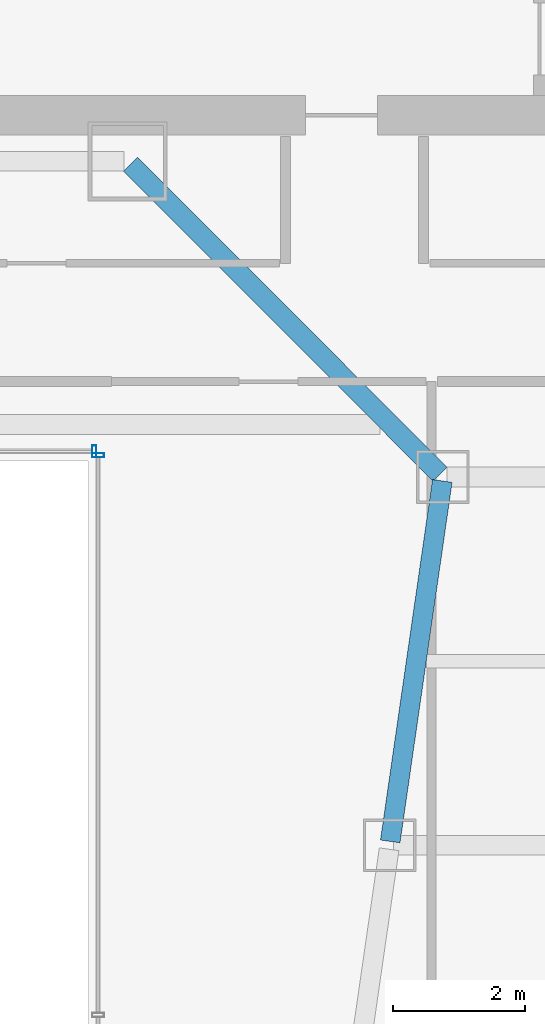
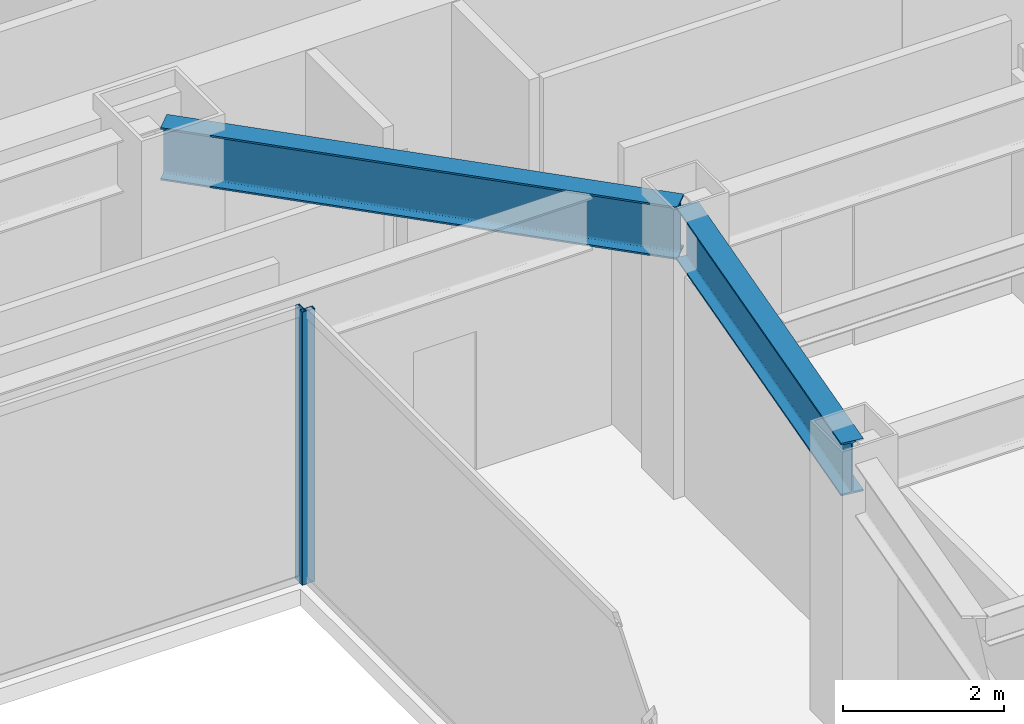
# One storey, part 29 of 47: 2 beams, 2 members, 2 elements without a shape of their own.
"""IFC4 building model written with IfcOpenShell, lengths in metres."""

from ifc_helpers import new_model, si_unit, direction, frame, origin, origin_2d, place, context, subcontext, project, spatial, hollow_rectangle, i_section, extrude, material, material_profile, profile_set, type_object, element, aggregate, save


model = new_model("IFC4")

# Units and contexts
model_context = context("Model", 3, precision=1e-05, world=origin(), true_north=direction((0.0, 1.0)))
body_context = subcontext(model_context, "Body", "Model", "MODEL_VIEW")
ifc_project = project(units=[si_unit("LENGTHUNIT", "METRE"), si_unit("AREAUNIT", "SQUARE_METRE"), si_unit("VOLUMEUNIT", "CUBIC_METRE"), si_unit("PLANEANGLEUNIT", "RADIAN"), si_unit("MASSUNIT", "GRAM", prefix="KILO")], contexts=[model_context])

# Site, building, storey
site_placement = place(None, origin())
site = spatial("IfcSite", under=ifc_project, at=site_placement, CompositionType="ELEMENT")
building_placement = place(site_placement, origin())
building = spatial("IfcBuilding", under=site, at=building_placement, Name="Saevonmaru Cultural Tower", CompositionType="ELEMENT")
storey_placement = place(building_placement, frame((0.0, 0.0, 69.199951171875)))
storey = spatial("IfcBuildingStorey", under=building, at=storey_placement, Name="L14", CompositionType="ELEMENT", Elevation=69.199951171875)

# Beams
ifc_material_1 = material(Name="Steel SM420", Category="steel")
ifc_material_profile_1 = material_profile(ifc_material_1, i_section(OverallWidth=0.300048828125, OverallDepth=0.800048828125, WebThickness=0.013916015625, FlangeThickness=0.02587890625, FilletRadius=0.028076171875, at=origin_2d()), Name="H-800x300x14x26")
ifc_profile_set_1 = profile_set([ifc_material_profile_1], Name="Steel SM420")
beam_type = type_object("IfcBeamType", Name="BM-G-H800", PredefinedType="BEAM", material=ifc_profile_set_1)
beam_1_placement = place(storey_placement, frame((40.3916015625, 32.059326171875, 3.75), z_axis=(0.142964121327, 0.989727871697, 0.0), x_axis=(-0.989727871697, 0.142964121327, 0.0)))
element("IfcBeam", 1, at=beam_1_placement, inside=storey, type_object=beam_type, Name="L14 East Atrium Girder 5", PredefinedType="BEAM", context=body_context, shape_type="SweptSolid", body=[
    extrude(i_section(OverallWidth=0.300048828125, OverallDepth=0.800048828125, WebThickness=0.013916015625, FlangeThickness=0.02587890625, FilletRadius=0.028076171875, at=origin_2d()), origin(), (0.0, 0.0, 1.0), 5.5380859375),
])
beam_2_placement = place(storey_placement, frame((41.149658203125, 37.642578125, 3.75), z_axis=(-0.706538566564, 0.707674539572, 0.0), x_axis=(-0.707674539572, -0.706538566564, 0.0)))
element("IfcBeam", 2, at=beam_2_placement, inside=storey, type_object=beam_type, Name="L14 East Atrium Girder 6", PredefinedType="BEAM", context=body_context, shape_type="SweptSolid", body=[
    extrude(i_section(OverallWidth=0.300048828125, OverallDepth=0.800048828125, WebThickness=0.013916015625, FlangeThickness=0.02587890625, FilletRadius=0.028076171875, at=origin_2d()), origin(), (0.0, 0.0, 1.0), 6.662353515625),
])

# Curtain wall, member
ifc_material_2 = material(Name="Satin Bronze Anodised Aluminium", Category="aluminium")
curtain_wall_type = type_object("IfcCurtainWallType", Name="CW-ATR-GLZ", PredefinedType="NOTDEFINED", material=ifc_material_2)
curtain_wall_1_placement = place(storey_placement, origin())
curtain_wall_1 = element("IfcCurtainWall", 3, at=curtain_wall_1_placement, inside=storey, type_object=curtain_wall_type, Name="L14 Vertical Atrium Glazed Smoke Screen 2", PredefinedType="NOTDEFINED")
ifc_material_profile_2 = material_profile(ifc_material_2, hollow_rectangle(XDim=0.06494140625, YDim=0.179931640625, WallThickness=0.00390625, at=origin_2d()), Name="ALU-MULL-180x65x4")
ifc_profile_set_2 = profile_set([ifc_material_profile_2], Name="Satin Bronze Anodised Aluminium")
member_type = type_object("IfcMemberType", Name="ML-CW-INT-180x65", PredefinedType="MULLION", material=ifc_profile_set_2)
member_1_placement = place(storey_placement, frame((35.949951171875, 37.929931640625, 0.0), z_axis=(0.0, 0.0, 1.0), x_axis=(0.0, 1.0, 0.0)))
member_1 = element("IfcMember", 4, at=member_1_placement, type_object=member_type, Name="CW-ATR-L14-2 mullion 3", PredefinedType="MULLION", context=body_context, shape_type="SweptSolid", body=[
    extrude(hollow_rectangle(XDim=0.06494140625, YDim=0.179931640625, WallThickness=0.00390625, at=origin_2d()), origin(), (0.0, 0.0, 1.0), 4.150146484375),
])
aggregate(curtain_wall_1, [member_1])

curtain_wall_2_placement = place(storey_placement, origin())
curtain_wall_2 = element("IfcCurtainWall", 5, at=curtain_wall_2_placement, inside=storey, type_object=curtain_wall_type, Name="L14 Vertical Atrium Glazed Smoke Screen 3", PredefinedType="NOTDEFINED")
member_2_placement = place(storey_placement, frame((35.889892578125, 37.989990234375, 0.0), z_axis=(0.0, 0.0, 1.0), x_axis=(-1.0, 0.0, 0.0)))
member_2 = element("IfcMember", 6, at=member_2_placement, type_object=member_type, Name="CW-ATR-L14-3 mullion 1", PredefinedType="MULLION", context=body_context, shape_type="SweptSolid", body=[
    extrude(hollow_rectangle(XDim=0.06494140625, YDim=0.179931640625, WallThickness=0.00390625, at=origin_2d()), origin(), (0.0, 0.0, 1.0), 4.150146484375),
])
aggregate(curtain_wall_2, [member_2])

save(model, "model.ifc")
